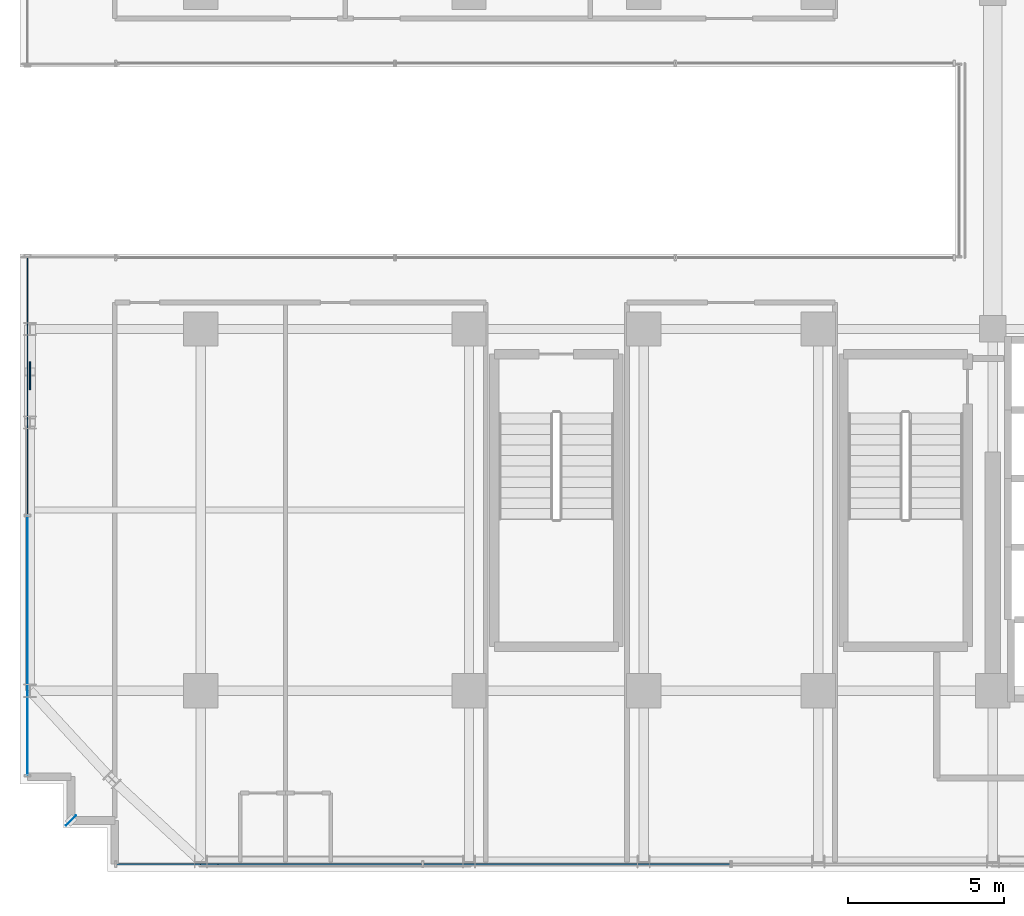
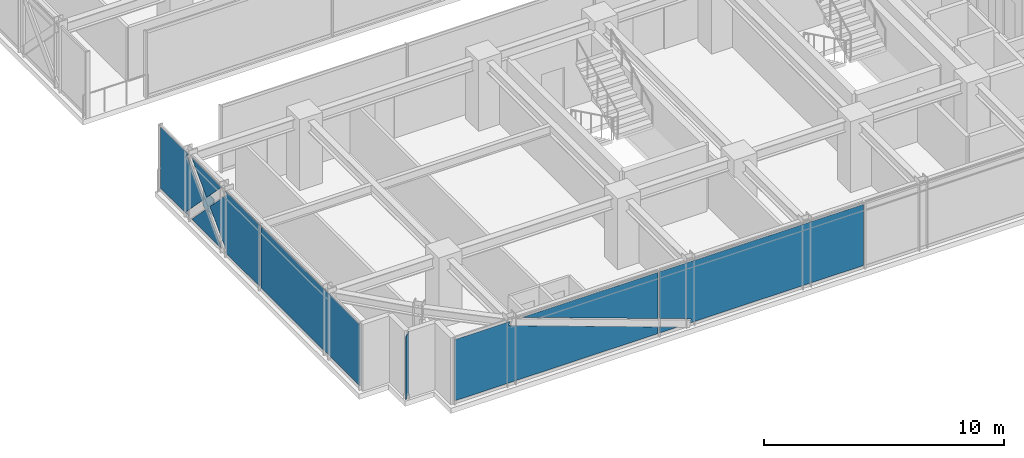
# One storey, part 28 of 41: 6 plates, 2 elements without a shape of their own.
"""IFC4 building model written with IfcOpenShell, lengths in metres."""

from ifc_helpers import new_model, si_unit, direction, frame, origin, origin_2d, place, context, subcontext, project, spatial, polyline, rectangle, outline, extrude, source, transform, mapped, material, layer, layer_set, type_object, element, aggregate, save


model = new_model("IFC4")

# Units and contexts
model_context = context("Model", 3, precision=1e-05, world=origin(), true_north=direction((0.0, 1.0)))
body_context = subcontext(model_context, "Body", "Model", "MODEL_VIEW")
ifc_project = project(units=[si_unit("LENGTHUNIT", "METRE"), si_unit("AREAUNIT", "SQUARE_METRE"), si_unit("VOLUMEUNIT", "CUBIC_METRE"), si_unit("PLANEANGLEUNIT", "RADIAN"), si_unit("MASSUNIT", "GRAM", prefix="KILO")], contexts=[model_context])

# Site, building, storey
site_placement = place(None, origin())
site = spatial("IfcSite", under=ifc_project, at=site_placement, CompositionType="ELEMENT")
building_placement = place(site_placement, origin())
building = spatial("IfcBuilding", under=site, at=building_placement, Name="Nahalor Promenade Grand Hotel", CompositionType="ELEMENT")
storey_placement = place(building_placement, frame((0.0, 0.0, 159.949951171875)))
storey = spatial("IfcBuildingStorey", under=building, at=storey_placement, Name="L40", CompositionType="ELEMENT", Elevation=159.949951171875)

# Curtain wall, plates
ifc_material_1 = material(Name="Anodised Bronze Aluminium EN AW-6063 T6", Category="aluminium")
curtain_wall_type = type_object("IfcCurtainWallType", Name="CW3 Elliptical-Void Collar Unitised Curtain Wall", PredefinedType="USERDEFINED", material=ifc_material_1)
curtain_wall_1_placement = place(storey_placement, origin())
curtain_wall_1 = element("IfcCurtainWall", 1, at=curtain_wall_1_placement, inside=storey, type_object=curtain_wall_type, Name="L40 Curtain Wall CW-L40-S-1", ObjectType="UNITISED_CURTAIN_WALL", PredefinedType="USERDEFINED")
ifc_material_2 = material(Name="Low-E Laminated Solar Glass", Category="glass")
ifc_layer_1 = layer(ifc_material_2, 0.030029296875)
ifc_layer_set_1 = layer_set([ifc_layer_1], Name="Low-E Laminated Solar Glass")
plate_type_1 = type_object("IfcPlateType", Name="CWP3 High-Wind Laminated Bronze IGU 30mm", PredefinedType="CURTAIN_PANEL", material=ifc_layer_set_1)
plate_1_placement = place(storey_placement, frame((-14.802490234375, -22.56005859375, 0.14013671875), z_axis=(0.0, 0.0, 1.0), x_axis=(1.0, 0.0, 0.0)))
plate_1 = element("IfcPlate", 2, at=plate_1_placement, type_object=plate_type_1, Name="CW-L40-S-1 Glazing Panel 0-0", PredefinedType="CURTAIN_PANEL", context=body_context, shape_type="SweptSolid", body=[
    extrude(outline(polyline([(-4.887451171875, 0.0), (4.887451171875, 0.0), (4.887451171875, 0.341796875), (-2.28857421875, 2.920166015625), (-2.220458984375, 3.110107421875), (-4.887451171875, 3.110107421875), (-4.887451171875, 0.0)])), frame((0.0, 0.01513671875, 0.0), z_axis=(0.0, -1.0, 0.0), x_axis=(1.0, 0.0, 0.0)), (0.0, 0.0, 1.0), 0.030029296875),
    extrude(outline(polyline([(4.887451171875, 0.766845703125), (4.887451171875, 3.110107421875), (-1.6337890625, 3.110107421875), (4.887451171875, 0.766845703125)])), frame((0.0, 0.01513671875, 0.0), z_axis=(0.0, -1.0, 0.0), x_axis=(1.0, 0.0, 0.0)), (0.0, 0.0, 1.0), 0.030029296875),
])
plate_2_placement = place(storey_placement, frame((-4.93994140625, -22.56005859375, 0.14013671875), z_axis=(0.0, 0.0, 1.0), x_axis=(1.0, 0.0, 0.0)))
plate_2 = element("IfcPlate", 3, at=plate_2_placement, type_object=plate_type_1, Name="CW-L40-S-1 Glazing Panel 1-0", PredefinedType="CURTAIN_PANEL", context=body_context, shape_type="SweptSolid", body=[
    extrude(outline(polyline([(4.905029296875, 3.110107421875), (-4.905029296875, 3.110107421875), (-4.905029296875, 0.74169921875), (-3.368896484375, 0.189697265625), (-3.43701171875, 0.0), (4.905029296875, 0.0), (4.905029296875, 3.110107421875)])), frame((0.0, 0.01513671875, 0.0), z_axis=(0.0, -1.0, 0.0), x_axis=(1.0, 0.0, 0.0)), (0.0, 0.0, 1.0), 0.030029296875),
    extrude(outline(polyline([(-4.905029296875, 0.316650390625), (-4.905029296875, 0.0), (-4.023681640625, 0.0), (-4.905029296875, 0.316650390625)])), frame((0.0, 0.01513671875, 0.0), z_axis=(0.0, -1.0, 0.0), x_axis=(1.0, 0.0, 0.0)), (0.0, 0.0, 1.0), 0.030029296875),
])
aggregate(curtain_wall_1, [plate_1, plate_2])

# Curtain wall, plate
curtain_wall_2_placement = place(storey_placement, origin())
curtain_wall_2 = element("IfcCurtainWall", 4, at=curtain_wall_2_placement, inside=storey, type_object=curtain_wall_type, Name="L40 Curtain Wall CW-L40-W-1", ObjectType="UNITISED_CURTAIN_WALL", PredefinedType="USERDEFINED")
plate_3_placement = place(storey_placement, frame((-22.56005859375, -7.206787109375, 0.14013671875), z_axis=(0.0, 0.0, 1.0), x_axis=(0.0, 1.0, 0.0)))
plate_3 = element("IfcPlate", 5, at=plate_3_placement, type_object=plate_type_1, Name="CW-L40-W-1 Glazing Panel 1-0", PredefinedType="CURTAIN_PANEL", context=body_context, shape_type="SweptSolid", body=[
    extrude(outline(polyline([(-4.1376953125, 3.110107421875), (-4.1376953125, 0.0), (-1.21875, 0.0), (-1.354248046875, 0.13134765625), (0.028076171875, 1.554931640625), (-1.354248046875, 2.978515625), (-1.21875, 3.110107421875), (-4.1376953125, 3.110107421875)])), frame((0.0, 0.01513671875, 0.0), z_axis=(0.0, -1.0, 0.0), x_axis=(1.0, 0.0, 0.0)), (0.0, 0.0, 1.0), 0.030029296875),
    extrude(outline(polyline([(0.306640625, 1.267822265625), (-0.92431640625, 0.0), (1.53759765625, 0.0), (0.306640625, 1.267822265625)])), frame((0.0, 0.01513671875, 0.0), z_axis=(0.0, -1.0, 0.0), x_axis=(1.0, 0.0, 0.0)), (0.0, 0.0, 1.0), 0.030029296875),
    extrude(outline(polyline([(0.306640625, 1.842041015625), (1.53759765625, 3.110107421875), (-0.92431640625, 3.110107421875), (0.306640625, 1.842041015625)])), frame((0.0, 0.01513671875, 0.0), z_axis=(0.0, -1.0, 0.0), x_axis=(1.0, 0.0, 0.0)), (0.0, 0.0, 1.0), 0.030029296875),
    extrude(outline(polyline([(4.1376953125, 0.0), (4.1376953125, 3.110107421875), (1.832275390625, 3.110107421875), (1.9677734375, 2.978515625), (0.58544921875, 1.554931640625), (1.9677734375, 0.13134765625), (1.832275390625, 0.0), (4.1376953125, 0.0)])), frame((0.0, 0.01513671875, 0.0), z_axis=(0.0, -1.0, 0.0), x_axis=(1.0, 0.0, 0.0)), (0.0, 0.0, 1.0), 0.030029296875),
])

# Plates
ifc_material_3 = material(Name="Steel S355J2", Category="steel")
ifc_layer_2 = layer(ifc_material_3, 0.035888671875)
ifc_layer_set_2 = layer_set([ifc_layer_2], Name="Steel S355J2")
plate_type_2 = type_object("IfcPlateType", Name="Plate-CrossGusset-36", PredefinedType="USERDEFINED", material=ifc_layer_set_2)
shared_shape_1 = source(origin(), body_context, "Body", "SweptSolid", [
    extrude(rectangle(XDim=0.89990234375, YDim=0.035888671875, at=origin_2d()), origin(), (0.0, 0.0, 1.0), 0.89990234375),
])
plate_4_placement = place(storey_placement, frame((-22.47998046875, -6.89990234375, 1.2451171875), z_axis=(0.0, 0.0, 1.0), x_axis=(0.0, 1.0, 0.0)))
element("IfcPlate", 6, at=plate_4_placement, inside=storey, type_object=plate_type_2, Name="PL-L40-VXX-W0", ObjectType="GUSSET_PLATE", PredefinedType="USERDEFINED", context=body_context, shape_type="MappedRepresentation", body=[
    mapped(shared_shape_1, transform((0.0, 0.0, 0.0), scale=1.0)),
])
ifc_layer_3 = layer(ifc_material_1, 0.02001953125)
ifc_layer_set_3 = layer_set([ifc_layer_3], Name="Anodised Bronze Aluminium EN AW-6063 T6")
plate_type_3 = type_object("IfcPlateType", Name="Plate-CornerFin-20", PredefinedType="SHEET", material=ifc_layer_set_3)
shared_shape_2 = source(origin(), body_context, "Body", "SweptSolid", [
    extrude(rectangle(XDim=0.449951171875, YDim=0.02001953125, at=origin_2d()), origin(), (0.0, 0.0, 1.0), 3.199951171875),
])
plate_5_placement = place(storey_placement, frame((-21.159912109375, -21.159912109375, 0.0), z_axis=(0.0, 0.0, 1.0), x_axis=(0.707106781187, 0.707106781187, 0.0)))
element("IfcPlate", 7, at=plate_5_placement, inside=storey, type_object=plate_type_3, Name="FIN-L40-SW", PredefinedType="SHEET", context=body_context, shape_type="MappedRepresentation", body=[
    mapped(shared_shape_2, transform((0.0, 0.0, 0.0), scale=1.0)),
])

# Plate
shared_shape_3 = source(origin(), body_context, "Body", "SweptSolid", [
    extrude(rectangle(XDim=8.275390625, YDim=0.030029296875, at=origin_2d()), origin(), (0.0, 0.0, 1.0), 3.110107421875),
])
plate_6_placement = place(storey_placement, frame((-22.56005859375, -15.55224609375, 0.14013671875), z_axis=(0.0, 0.0, 1.0), x_axis=(0.0, 1.0, 0.0)))
plate_6 = element("IfcPlate", 8, at=plate_6_placement, type_object=plate_type_1, Name="CW-L40-W-1 Glazing Panel 0-0", PredefinedType="CURTAIN_PANEL", context=body_context, shape_type="MappedRepresentation", body=[
    mapped(shared_shape_3, transform((0.0, 0.0, 0.0), scale=1.0)),
])

aggregate(curtain_wall_2, [plate_6, plate_3])

save(model, "model.ifc")
